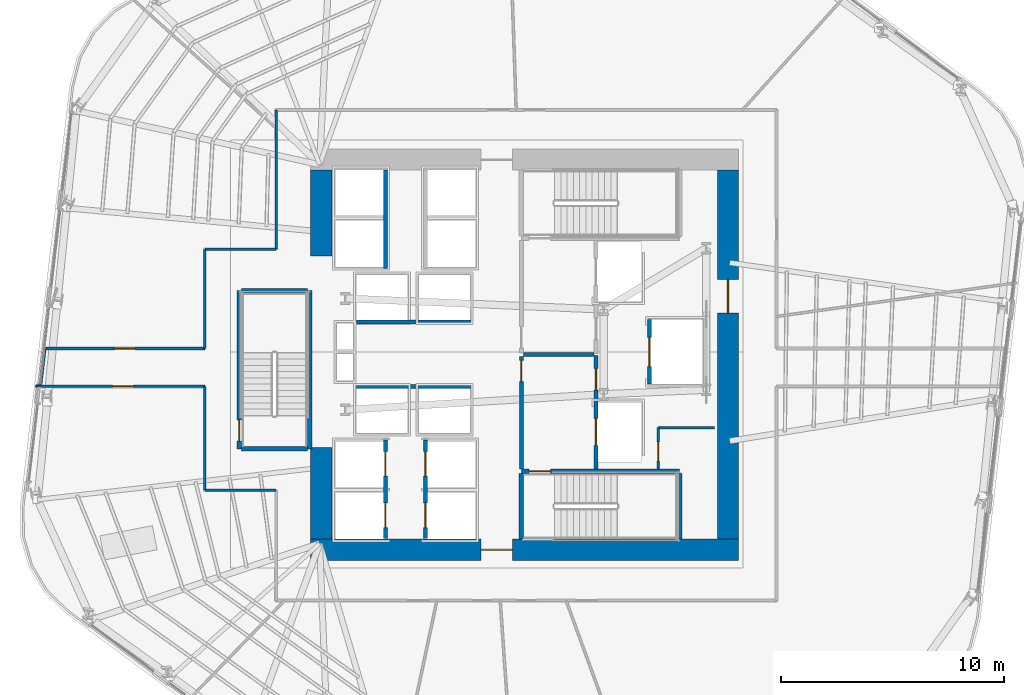
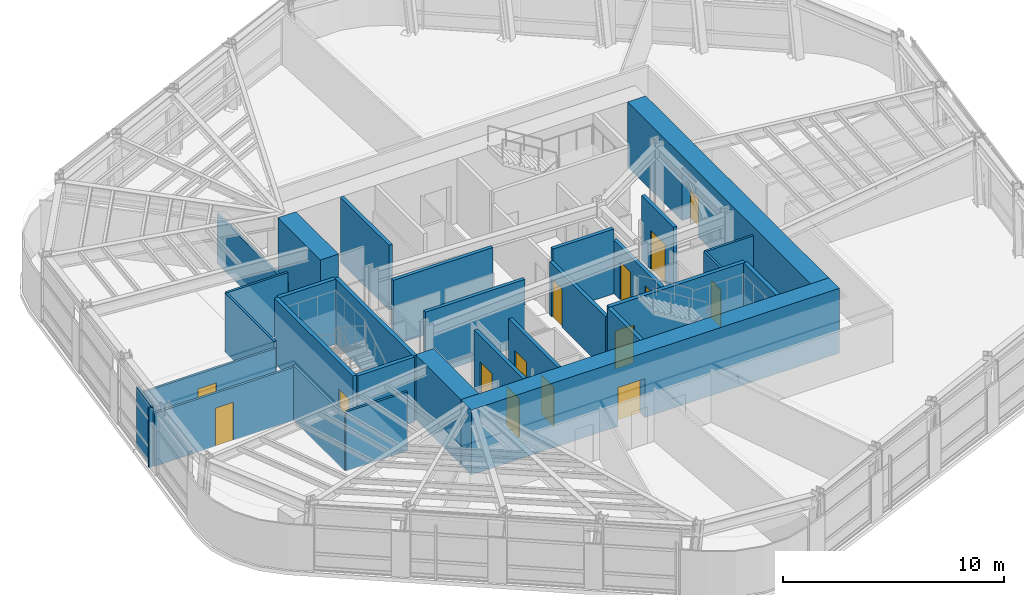
# One storey, part 9 of 16: 31 walls, 15 doors, 15 openings.
"""IFC4 building model written with IfcOpenShell, lengths in metres."""

import ifcopenshell
import ifcopenshell.guid

model = None  # the IFC model being written
_history = None  # IfcOwnerHistory: only IFC2X3 demands one
_inside = {}  # id of a spatial element -> (the spatial element, [elements in it])
_under = {}  # id of a project, library or spatial element -> (it, [spatial elements below it])
_declared = {}  # id of a project -> (the project, [libraries it declares])
_typed = {}  # id of a type object -> (the type object, [elements of that type])
_made_of = {}  # id of a material, layer set ... -> (it, [elements and type objects made of it])


def new_model(schema):
    """Start an empty IFC model of exactly this schema.

    Asked for "IFC4X3", IfcOpenShell would pick the latest addendum, in which some entities
    have other attributes; the version numbers below select the first issue.
    IFC2X3 requires an IfcOwnerHistory on every rooted entity: one is made here for all.
    """
    global model, _history
    if schema == "IFC4X3":
        model = ifcopenshell.file(schema_version=(4, 3, 0, 0))
    else:
        model = ifcopenshell.file(schema=schema)
    _inside.clear()
    _under.clear()
    _declared.clear()
    _typed.clear()
    _made_of.clear()
    _history = None
    if model.schema == "IFC2X3":
        org = make("IfcOrganization", Name="unknown")
        user = make(
            "IfcPersonAndOrganization",
            ThePerson=make("IfcPerson", FamilyName="unknown"),
            TheOrganization=org,
        )
        app = make(
            "IfcApplication",
            ApplicationDeveloper=org,
            Version="unknown",
            ApplicationFullName="unknown",
            ApplicationIdentifier="unknown",
        )
        _history = make(
            "IfcOwnerHistory",
            OwningUser=user,
            OwningApplication=app,
            ChangeAction="ADDED",
            CreationDate=0,
        )
    return model


def make(cls, **values):
    """One entity of the class cls with the attributes given. An attribute that is None is left unset."""
    return model.create_entity(
        cls, **{name: value for name, value in values.items() if value is not None}
    )


def rooted(cls, **values):
    """An entity with a GlobalId (a new one), such as an element, a storey or a relation."""
    return make(cls, GlobalId=ifcopenshell.guid.new(), OwnerHistory=_history, **values)


def si_unit(unit_type, name, prefix=None):
    """IfcSIUnit, for example si_unit("LENGTHUNIT", "METRE", prefix="MILLI")."""
    return make("IfcSIUnit", UnitType=unit_type, Prefix=prefix, Name=name)


def assignment(units):
    """IfcUnitAssignment: the units of a project."""
    return None if units is None else make("IfcUnitAssignment", Units=units)


def point(xyz):
    """IfcCartesianPoint."""
    return None if xyz is None else make("IfcCartesianPoint", Coordinates=xyz)


def direction(xyz):
    """IfcDirection."""
    return None if xyz is None else make("IfcDirection", DirectionRatios=xyz)


def frame(location, z_axis=None, x_axis=None):
    """IfcAxis2Placement3D, a coordinate frame: its origin and axes. An axis left out is left unset."""
    return make(
        "IfcAxis2Placement3D",
        Location=point(location),
        Axis=direction(z_axis),
        RefDirection=direction(x_axis),
    )


def frame_2d(location, x_axis=None):
    """IfcAxis2Placement2D, a coordinate frame in the plane: its origin and x axis."""
    return make(
        "IfcAxis2Placement2D", Location=point(location), RefDirection=direction(x_axis)
    )


def origin():
    """The frame at (0, 0, 0) with its axes left unset."""
    return frame((0.0, 0.0, 0.0))


def place(relative_to, where):
    """IfcLocalPlacement: puts the frame where relative to a parent placement (None: the world)."""
    return make(
        "IfcLocalPlacement", PlacementRelTo=relative_to, RelativePlacement=where
    )


def context(
    kind, dimensions, precision=None, world=None, true_north=None, identifier=None
):
    """IfcGeometricRepresentationContext, for example the 3D "Model" context."""
    return make(
        "IfcGeometricRepresentationContext",
        ContextIdentifier=identifier,
        ContextType=kind,
        CoordinateSpaceDimension=dimensions,
        Precision=precision,
        WorldCoordinateSystem=world,
        TrueNorth=true_north,
    )


def subcontext(parent, identifier, kind, view, scale=None):
    """IfcGeometricRepresentationSubContext, for example "Body" below "Model"."""
    return make(
        "IfcGeometricRepresentationSubContext",
        ContextIdentifier=identifier,
        ContextType=kind,
        ParentContext=parent,
        TargetScale=scale,
        TargetView=view,
    )


def project(units=None, contexts=None):
    """IfcProject with its units and contexts."""
    return rooted(
        "IfcProject",
        Name="project",
        RepresentationContexts=contexts,
        UnitsInContext=assignment(units),
    )


def spatial(cls, under=None, at=None, **own):
    """A site, building, storey or space (cls), placed at a placement, below another one or the project."""
    s = rooted(cls, ObjectPlacement=at, **own)
    if under is not None:
        _under.setdefault(under.id(), (under, []))[1].append(s)
    return s


def profile(cls, at=None, kind="AREA", **sizes):
    """A parametric profile (cls). Its sizes go by their IFC names, for example OverallWidth=200.0."""
    return make(cls, ProfileType=kind, Position=at, **sizes)


def rectangle(**sizes):
    """IfcRectangleProfileDef."""
    return profile("IfcRectangleProfileDef", **sizes)


def extrude(swept, where, along, depth):
    """IfcExtrudedAreaSolid: the profile swept, set in the frame where, extruded along a direction by depth."""
    return make(
        "IfcExtrudedAreaSolid",
        SweptArea=swept,
        Position=where,
        ExtrudedDirection=direction(along),
        Depth=depth,
    )


def shape(context_of_items, identifier, shape_type, items):
    """IfcShapeRepresentation: the items that make up one representation, for example the "Body"."""
    return make(
        "IfcShapeRepresentation",
        ContextOfItems=context_of_items,
        RepresentationIdentifier=identifier,
        RepresentationType=shape_type,
        Items=items,
    )


def material(Name=None, Category=None):
    """IfcMaterial."""
    return make("IfcMaterial", Name=Name, Category=Category)


def layer(
    of_material, thickness, ventilated=None, Name=None, Category=None, Priority=None
):
    """IfcMaterialLayer: one layer of a wall or slab, of a material (None: an air gap)."""
    return make(
        "IfcMaterialLayer",
        Material=of_material,
        LayerThickness=thickness,
        IsVentilated=ventilated,
        Name=Name,
        Category=Category,
        Priority=Priority,
    )


def layer_set(layers, Name=None):
    """IfcMaterialLayerSet."""
    return make("IfcMaterialLayerSet", MaterialLayers=layers, LayerSetName=Name)


def made_of(thing, what):
    """Note that an element or type object is made of a material, layer set ...; save() writes the relation."""
    if what is not None:
        _made_of.setdefault(what.id(), (what, []))[1].append(thing)
    return thing


def type_object(cls, material=None, **own):
    """A type object (cls), such as IfcWallType, which elements share."""
    return made_of(rooted(cls, **own), material)


def element(
    cls,
    number,
    at=None,
    inside=None,
    cuts=None,
    type_object=None,
    material=None,
    context=None,
    identifier="Body",
    shape_type=None,
    held_by="IfcProductDefinitionShape",
    body=None,
    shapes=None,
    **own,
):
    """One element of the class cls, such as IfcWall. Its Tag is "e" and its number.

    at: its placement. inside: the storey or other place that contains it. cuts: it is an
    opening in that element (IfcRelVoidsElement). A single representation is given by context,
    identifier, shape_type and body (its items); several are given by shapes. held_by: the class
    of the entity that holds the representations. save() writes the other relations.
    """
    e = rooted(cls, Tag="e%d" % number, ObjectPlacement=at, **own)
    if body is not None:
        shapes = [shape(context, identifier, shape_type, body)]
    if shapes is not None:
        e.Representation = make(held_by, Representations=shapes)
    if inside is not None:
        _inside.setdefault(inside.id(), (inside, []))[1].append(e)
    if cuts is not None:
        rooted(
            "IfcRelVoidsElement", RelatingBuildingElement=cuts, RelatedOpeningElement=e
        )
    if type_object is not None:
        _typed.setdefault(type_object.id(), (type_object, []))[1].append(e)
    return made_of(e, material)


def fill(opening, filler):
    """IfcRelFillsElement: the door or window that sits in an opening."""
    return rooted(
        "IfcRelFillsElement",
        RelatingOpeningElement=opening,
        RelatedBuildingElement=filler,
    )


def aggregate(whole, parts):
    """IfcRelAggregates: a whole, such as a stair, and the parts it consists of."""
    return rooted("IfcRelAggregates", RelatingObject=whole, RelatedObjects=parts)


def save(model, path):
    """Write the relations noted so far, then the file.

    IfcRelAggregates (storeys below a building ...), IfcRelContainedInSpatialStructure (elements
    in a storey), IfcRelDefinesByType, IfcRelAssociatesMaterial and IfcRelDeclares: one each for
    every whole, place, type object, material and project.
    """
    for whole, parts in _under.values():
        aggregate(whole, parts)
    for where, things in _inside.values():
        rooted(
            "IfcRelContainedInSpatialStructure",
            RelatedElements=things,
            RelatingStructure=where,
        )
    for kind, things in _typed.values():
        rooted("IfcRelDefinesByType", RelatedObjects=things, RelatingType=kind)
    for what, things in _made_of.values():
        rooted("IfcRelAssociatesMaterial", RelatedObjects=things, RelatingMaterial=what)
    for by, libraries in _declared.values():
        rooted("IfcRelDeclares", RelatingContext=by, RelatedDefinitions=libraries)
    model.write(path)


model = new_model("IFC4")

# Units and contexts
model_context = context("Model", 3, precision=1e-05, world=origin(), true_north=direction((0.0, 1.0)))
body_context = subcontext(model_context, "Body", "Model", "MODEL_VIEW")
ifc_project = project(units=[si_unit("LENGTHUNIT", "METRE"), si_unit("AREAUNIT", "SQUARE_METRE"), si_unit("VOLUMEUNIT", "CUBIC_METRE"), si_unit("PLANEANGLEUNIT", "RADIAN"), si_unit("MASSUNIT", "GRAM", prefix="KILO")], contexts=[model_context])

# Site, building, storey
site_placement = place(None, origin())
site = spatial("IfcSite", under=ifc_project, at=site_placement, CompositionType="ELEMENT")
building_placement = place(site_placement, origin())
building = spatial("IfcBuilding", under=site, at=building_placement, Name="Valkerne Bourse Tower", CompositionType="ELEMENT")
storey_placement = place(building_placement, frame((0.0, 0.0, 123.800048828125)))
storey = spatial("IfcBuildingStorey", under=building, at=storey_placement, Name="L31", CompositionType="ELEMENT", Elevation=123.800048828125)

# Wall, opening, door
ifc_material_1 = material(Name="Concrete C70/85", Category="concrete")
ifc_layer_1 = layer(ifc_material_1, 0.949951171875)
ifc_layer_set_1 = layer_set([ifc_layer_1], Name="Concrete C70/85")
wall_type_1 = type_object("IfcWallType", Name="W-CORE-950", PredefinedType="SHEAR", material=ifc_layer_set_1)
wall_1_placement = place(storey_placement, frame((37.199951171875, 18.125, 0.0), z_axis=(0.0, 0.0, 1.0), x_axis=(1.0, 0.0, 0.0)))
wall_1 = element("IfcWall", 1, at=wall_1_placement, inside=storey, type_object=wall_type_1, Name="L31 Core Shear Wall SOUTH", PredefinedType="SHEAR", context=body_context, shape_type="SweptSolid", body=[
    extrude(rectangle(XDim=19.199951171875, YDim=0.949951171875, at=frame_2d((9.60009765625, 0.0))), origin(), (0.0, 0.0, 1.0), 3.579833984375),
])
opening_1_placement = place(wall_1_placement, frame((7.64990234375, 0.0, 0.0)))
opening_1 = element("IfcOpeningElement", 2, at=opening_1_placement, cuts=wall_1, Name="Opening D-PL-1400", PredefinedType="OPENING", context=body_context, shape_type="SweptSolid", body=[
    extrude(rectangle(XDim=1.39990234375, YDim=2.14990234375, at=frame_2d((0.699951171875, 1.074951171875))), frame((0.0, 0.48486328125, 0.0), z_axis=(0.0, -1.0, 0.0), x_axis=(1.0, 0.0, 0.0)), (0.0, 0.0, 1.0), 0.969970703125),
])
ifc_material_2 = material(Name="Galvanised Painted Steel", Category="steel")
door_type_1 = type_object("IfcDoorType", Name="DR-PLT-1400", OperationType="DOUBLE_DOOR_SINGLE_SWING", PredefinedType="DOOR", material=ifc_material_2)
door_1_placement = place(opening_1_placement, origin())
door_1 = element("IfcDoor", 3, at=door_1_placement, inside=storey, type_object=door_type_1, Name="L31 South Passenger Lift Hall Fire Door", OperationType="DOUBLE_DOOR_SINGLE_SWING", OverallHeight=2.14990234375, OverallWidth=1.39990234375, PredefinedType="DOOR", context=body_context, shape_type="SweptSolid", body=[
    extrude(rectangle(XDim=1.39990234375, YDim=2.14990234375, at=frame_2d((0.699951171875, 1.074951171875))), frame((0.0, 0.02490234375, 0.0), z_axis=(0.0, -1.0, 0.0), x_axis=(1.0, 0.0, 0.0)), (0.0, 0.0, 1.0), 0.050048828125),
])
fill(opening_1, door_1)

wall_2_placement = place(storey_placement, frame((55.925048828125, 18.60009765625, 0.0), z_axis=(0.0, 0.0, 1.0), x_axis=(0.0, 1.0, 0.0)))
wall_2 = element("IfcWall", 4, at=wall_2_placement, inside=storey, type_object=wall_type_1, Name="L31 Core Shear Wall EAST", PredefinedType="SHEAR", context=body_context, shape_type="SweptSolid", body=[
    extrude(rectangle(XDim=16.5498046875, YDim=0.949951171875, at=frame_2d((8.27490234375, 0.0))), origin(), (0.0, 0.0, 1.0), 3.579833984375),
])
opening_2_placement = place(wall_2_placement, frame((10.14990234375, 0.0, 0.0)))
opening_2 = element("IfcOpeningElement", 5, at=opening_2_placement, cuts=wall_2, Name="Opening D-CR-1500", PredefinedType="OPENING", context=body_context, shape_type="SweptSolid", body=[
    extrude(rectangle(XDim=1.5, YDim=2.14990234375, at=frame_2d((0.75, 1.074951171875))), frame((0.0, 0.48486328125, 0.0), z_axis=(0.0, -1.0, 0.0), x_axis=(1.0, 0.0, 0.0)), (0.0, 0.0, 1.0), 0.969970703125),
])
door_type_2 = type_object("IfcDoorType", Name="DR-CORR-1500", OperationType="DOUBLE_DOOR_SINGLE_SWING", PredefinedType="DOOR", material=ifc_material_2)
door_2_placement = place(opening_2_placement, origin())
door_2 = element("IfcDoor", 6, at=door_2_placement, inside=storey, type_object=door_type_2, Name="L31 East Core Service Lobby Fire Door", OperationType="DOUBLE_DOOR_SINGLE_SWING", OverallHeight=2.14990234375, OverallWidth=1.5, PredefinedType="DOOR", context=body_context, shape_type="SweptSolid", body=[
    extrude(rectangle(XDim=1.5, YDim=2.14990234375, at=frame_2d((0.75, 1.074951171875))), frame((0.0, 0.02490234375, 0.0), z_axis=(0.0, -1.0, 0.0), x_axis=(1.0, 0.0, 0.0)), (0.0, 0.0, 1.0), 0.050048828125),
])
fill(opening_2, door_2)

# Walls
wall_3_placement = place(storey_placement, frame((37.675048828125, 18.60009765625, 0.0), z_axis=(0.0, 0.0, 1.0), x_axis=(0.0, 1.0, 0.0)))
element("IfcWall", 7, at=wall_3_placement, inside=storey, type_object=wall_type_1, Name="L31 Core Shear Wall WEST-S", PredefinedType="SHEAR", context=body_context, shape_type="SweptSolid", body=[
    extrude(rectangle(XDim=4.099853515625, YDim=0.949951171875, at=frame_2d((2.0498046875, 0.0))), origin(), (0.0, 0.0, 1.0), 3.579833984375),
])
wall_4_placement = place(storey_placement, frame((37.675048828125, 31.300048828125, 0.0), z_axis=(0.0, 0.0, 1.0), x_axis=(0.0, 1.0, 0.0)))
element("IfcWall", 8, at=wall_4_placement, inside=storey, type_object=wall_type_1, Name="L31 Core Shear Wall WEST-N", PredefinedType="SHEAR", context=body_context, shape_type="SweptSolid", body=[
    extrude(rectangle(XDim=3.849853515625, YDim=0.949951171875, at=frame_2d((1.9248046875, 0.0))), origin(), (0.0, 0.0, 1.0), 3.579833984375),
])

# Wall, opening, door
ifc_material_3 = material(Name="Gypsum Board Steel-Stud Partition", Category="steel")
ifc_layer_2 = layer(ifc_material_3, 0.117919921875)
ifc_layer_set_2 = layer_set([ifc_layer_2], Name="Gypsum Board Steel-Stud Partition")
wall_type_2 = type_object("IfcWallType", Name="W-CORR-140", PredefinedType="PARTITIONING", material=ifc_layer_set_2)
wall_5_placement = place(storey_placement, frame((52.800048828125, 21.75, 0.0), z_axis=(0.0, 0.0, 1.0), x_axis=(0.0, 1.0, 0.0)))
wall_5 = element("IfcWall", 9, at=wall_5_placement, inside=storey, type_object=wall_type_2, Name="L31 Core SE South-Bay West Wall", PredefinedType="PARTITIONING", context=body_context, shape_type="SweptSolid", body=[
    extrude(rectangle(XDim=1.85009765625, YDim=0.117919921875, at=frame_2d((0.925048828125, 0.0))), origin(), (0.0, 0.0, 1.0), 3.280029296875),
])
opening_3_placement = place(wall_5_placement, frame((0.35009765625, 0.0, 0.0)))
opening_3 = element("IfcOpeningElement", 10, at=opening_3_placement, cuts=wall_5, Name="Opening D-WC-900", PredefinedType="OPENING", context=body_context, shape_type="SweptSolid", body=[
    extrude(rectangle(XDim=0.860107421875, YDim=2.050048828125, at=frame_2d((0.43017578125, 1.02490234375))), frame((0.0, 0.06884765625, 0.0), z_axis=(0.0, -1.0, 0.0), x_axis=(1.0, 0.0, 0.0)), (0.0, 0.0, 1.0), 0.137939453125),
])
ifc_material_4 = material(Name="Architectural White Oak Timber", Category="wood")
door_type_3 = type_object("IfcDoorType", Name="DR-WC-900", OperationType="NOTDEFINED", PredefinedType="DOOR", material=ifc_material_4)
door_3_placement = place(opening_3_placement, origin())
door_3 = element("IfcDoor", 11, at=door_3_placement, inside=storey, type_object=door_type_3, Name="L31 Janitor Store Door", OperationType="SINGLE_SWING_RIGHT", OverallHeight=2.050048828125, OverallWidth=0.860107421875, PredefinedType="DOOR", context=body_context, shape_type="SweptSolid", body=[
    extrude(rectangle(XDim=0.860107421875, YDim=2.050048828125, at=frame_2d((0.43017578125, 1.02490234375))), frame((0.0, 0.02490234375, 0.0), z_axis=(0.0, -1.0, 0.0), x_axis=(1.0, 0.0, 0.0)), (0.0, 0.0, 1.0), 0.050048828125),
])
fill(opening_3, door_3)

# Walls
wall_6_placement = place(storey_placement, frame((52.800048828125, 23.60009765625, 0.0), z_axis=(0.0, 0.0, 1.0), x_axis=(1.0, 0.0, 0.0)))
element("IfcWall", 12, at=wall_6_placement, inside=storey, type_object=wall_type_2, Name="L31 Core SE South-Bay North Wall", PredefinedType="PARTITIONING", context=body_context, shape_type="SweptSolid", body=[
    extrude(rectangle(XDim=2.52001953125, YDim=0.117919921875, at=frame_2d((1.260009765625, 0.0))), origin(), (0.0, 0.0, 1.0), 3.280029296875),
])
wall_7_placement = place(storey_placement, frame((35.64990234375, 20.800048828125, 0.0), z_axis=(0.0, 0.0, 1.0), x_axis=(-1.0, 0.0, 0.0)))
element("IfcWall", 13, at=wall_7_placement, inside=storey, type_object=wall_type_2, Name="L31 Corridor Enclosure Wall", PredefinedType="PARTITIONING", context=body_context, shape_type="SweptSolid", body=[
    extrude(rectangle(XDim=3.199951171875, YDim=0.117919921875, at=frame_2d((1.60009765625, 0.0))), origin(), (0.0, 0.0, 1.0), 3.260009765625),
])
wall_8_placement = place(storey_placement, frame((32.449951171875, 20.800048828125, 0.0), z_axis=(0.0, 0.0, 1.0), x_axis=(0.0, 1.0, 0.0)))
element("IfcWall", 14, at=wall_8_placement, inside=storey, type_object=wall_type_2, Name="L31 Corridor Enclosure Wall", PredefinedType="PARTITIONING", context=body_context, shape_type="SweptSolid", body=[
    extrude(rectangle(XDim=4.64990234375, YDim=0.117919921875, at=frame_2d((2.324951171875, 0.0))), origin(), (0.0, 0.0, 1.0), 3.03662109375),
])

# Wall, opening, door
wall_9_placement = place(storey_placement, frame((32.449951171875, 25.449951171875, 0.0), z_axis=(0.0, 0.0, 1.0), x_axis=(-1.0, 0.0, 0.0)))
wall_9 = element("IfcWall", 15, at=wall_9_placement, inside=storey, type_object=wall_type_2, Name="L31 Corridor Enclosure Wall", PredefinedType="PARTITIONING", context=body_context, shape_type="SweptSolid", body=[
    extrude(rectangle(XDim=7.32666015625, YDim=0.117919921875, at=frame_2d((3.663330078125, 0.0))), origin(), (0.0, 0.0, 1.0), 2.92236328125),
])
opening_4_placement = place(wall_9_placement, frame((3.188232421875, 0.0, 0.0)))
opening_4 = element("IfcOpeningElement", 16, at=opening_4_placement, cuts=wall_9, Name="Opening D-OF-950", PredefinedType="OPENING", context=body_context, shape_type="SweptSolid", body=[
    extrude(rectangle(XDim=0.949951171875, YDim=2.10009765625, at=frame_2d((0.47509765625, 1.050048828125))), frame((0.0, 0.06884765625, 0.0), z_axis=(0.0, -1.0, 0.0), x_axis=(1.0, 0.0, 0.0)), (0.0, 0.0, 1.0), 0.137939453125),
])
door_type_4 = type_object("IfcDoorType", Name="DR-OFF-950", OperationType="NOTDEFINED", PredefinedType="DOOR", material=ifc_material_4)
door_4_placement = place(opening_4_placement, origin())
door_4 = element("IfcDoor", 17, at=door_4_placement, inside=storey, type_object=door_type_4, Name="L31 L31 Member Collaboration Club Salon 4 Door", OperationType="SINGLE_SWING_RIGHT", OverallHeight=2.10009765625, OverallWidth=0.949951171875, PredefinedType="DOOR", context=body_context, shape_type="SweptSolid", body=[
    extrude(rectangle(XDim=0.949951171875, YDim=2.10009765625, at=frame_2d((0.47509765625, 1.050048828125))), frame((0.0, 0.02490234375, 0.0), z_axis=(0.0, -1.0, 0.0), x_axis=(1.0, 0.0, 0.0)), (0.0, 0.0, 1.0), 0.050048828125),
])
fill(opening_4, door_4)

# Wall
wall_10_placement = place(storey_placement, frame((25.083740234375, 25.49462890625, 0.0), z_axis=(0.0, 0.0, 1.0), x_axis=(0.117036717274, 0.993127588384, 0.0)))
element("IfcWall", 18, at=wall_10_placement, inside=storey, type_object=wall_type_2, Name="L31 Corridor Enclosure Wall", PredefinedType="PARTITIONING", context=body_context, shape_type="SweptSolid", body=[
    extrude(rectangle(XDim=1.666748046875, YDim=0.117919921875, at=frame_2d((0.83349609375, 0.0))), origin(), (0.0, 0.0, 1.0), 3.280029296875),
])

# Wall, opening, door
wall_11_placement = place(storey_placement, frame((25.27880859375, 27.14990234375, 0.0), z_axis=(0.0, 0.0, 1.0), x_axis=(1.0, 0.0, 0.0)))
wall_11 = element("IfcWall", 19, at=wall_11_placement, inside=storey, type_object=wall_type_2, Name="L31 Corridor Enclosure Wall", PredefinedType="PARTITIONING", context=body_context, shape_type="SweptSolid", body=[
    extrude(rectangle(XDim=7.171142578125, YDim=0.117919921875, at=frame_2d((3.58544921875, 0.0))), origin(), (0.0, 0.0, 1.0), 2.92236328125),
])
opening_5_placement = place(wall_11_placement, frame((3.110595703125, 0.0, 0.0)))
opening_5 = element("IfcOpeningElement", 20, at=opening_5_placement, cuts=wall_11, Name="Opening D-OF-950", PredefinedType="OPENING", context=body_context, shape_type="SweptSolid", body=[
    extrude(rectangle(XDim=0.949951171875, YDim=2.10009765625, at=frame_2d((0.47509765625, 1.050048828125))), frame((0.0, 0.06884765625, 0.0), z_axis=(0.0, -1.0, 0.0), x_axis=(1.0, 0.0, 0.0)), (0.0, 0.0, 1.0), 0.137939453125),
])
door_5_placement = place(opening_5_placement, origin())
door_5 = element("IfcDoor", 21, at=door_5_placement, inside=storey, type_object=door_type_4, Name="L31 L31 Occupational Wellness Clinic 5 Door", OperationType="SINGLE_SWING_RIGHT", OverallHeight=2.10009765625, OverallWidth=0.949951171875, PredefinedType="DOOR", context=body_context, shape_type="SweptSolid", body=[
    extrude(rectangle(XDim=0.949951171875, YDim=2.10009765625, at=frame_2d((0.47509765625, 1.050048828125))), frame((0.0, 0.02490234375, 0.0), z_axis=(0.0, -1.0, 0.0), x_axis=(1.0, 0.0, 0.0)), (0.0, 0.0, 1.0), 0.050048828125),
])
fill(opening_5, door_5)

# Walls
wall_12_placement = place(storey_placement, frame((32.449951171875, 27.14990234375, 0.0), z_axis=(0.0, 0.0, 1.0), x_axis=(0.0, 1.0, 0.0)))
element("IfcWall", 22, at=wall_12_placement, inside=storey, type_object=wall_type_2, Name="L31 Corridor Enclosure Wall", PredefinedType="PARTITIONING", context=body_context, shape_type="SweptSolid", body=[
    extrude(rectangle(XDim=4.4501953125, YDim=0.117919921875, at=frame_2d((2.22509765625, 0.0))), origin(), (0.0, 0.0, 1.0), 3.280029296875),
])
wall_13_placement = place(storey_placement, frame((32.449951171875, 31.60009765625, 0.0), z_axis=(0.0, 0.0, 1.0), x_axis=(1.0, 0.0, 0.0)))
element("IfcWall", 23, at=wall_13_placement, inside=storey, type_object=wall_type_2, Name="L31 Corridor Enclosure Wall", PredefinedType="PARTITIONING", context=body_context, shape_type="SweptSolid", body=[
    extrude(rectangle(XDim=3.199951171875, YDim=0.117919921875, at=frame_2d((1.60009765625, 0.0))), origin(), (0.0, 0.0, 1.0), 3.280029296875),
])
wall_14_placement = place(storey_placement, frame((35.64990234375, 31.60009765625, 0.0), z_axis=(0.0, 0.0, 1.0), x_axis=(0.0, 1.0, 0.0)))
element("IfcWall", 24, at=wall_14_placement, inside=storey, type_object=wall_type_2, Name="L31 Corridor Enclosure Wall", PredefinedType="PARTITIONING", context=body_context, shape_type="SweptSolid", body=[
    extrude(rectangle(XDim=6.25, YDim=0.117919921875, at=frame_2d((3.125, 0.0))), origin(), (0.0, 0.0, 1.0), 2.71142578125),
])
ifc_material_5 = material(Name="Gypsum Fire-Rated Shaftwall", Category="gypsum")
ifc_layer_3 = layer(ifc_material_5, 0.179931640625)
ifc_layer_set_3 = layer_set([ifc_layer_3], Name="Gypsum Fire-Rated Shaftwall")
wall_type_3 = type_object("IfcWallType", Name="W-FSAE-180", PredefinedType="PARTITIONING", material=ifc_layer_set_3)
wall_15_placement = place(storey_placement, frame((46.739990234375, 26.8798828125, 0.0), z_axis=(0.0, 0.0, 1.0), x_axis=(1.0, 0.0, 0.0)))
element("IfcWall", 25, at=wall_15_placement, inside=storey, type_object=wall_type_3, Name="L31 FSAE-1/2 Lobby Dividing Fire Wall", PredefinedType="PARTITIONING", context=body_context, shape_type="SweptSolid", body=[
    extrude(rectangle(XDim=3.169921875, YDim=0.179931640625, at=frame_2d((1.5849609375, 0.0))), origin(), (0.0, 0.0, 1.0), 3.579833984375),
])

# Wall, opening, door
wall_16_placement = place(storey_placement, frame((46.64990234375, 21.75, 0.0), z_axis=(0.0, 0.0, 1.0), x_axis=(0.0, 1.0, 0.0)))
wall_16 = element("IfcWall", 26, at=wall_16_placement, inside=storey, type_object=wall_type_3, Name="L31 FSAE-1 Lobby West Fire Wall", PredefinedType="PARTITIONING", context=body_context, shape_type="SweptSolid", body=[
    extrude(rectangle(XDim=5.050048828125, YDim=0.179931640625, at=frame_2d((2.52490234375, 0.0))), origin(), (0.0, 0.0, 1.0), 2.957763671875),
])
opening_6_placement = place(wall_16_placement, frame((3.919921875, 0.0, 0.0)))
opening_6 = element("IfcOpeningElement", 27, at=opening_6_placement, cuts=wall_16, Name="Opening D-FS-950", PredefinedType="OPENING", context=body_context, shape_type="SweptSolid", body=[
    extrude(rectangle(XDim=0.949951171875, YDim=2.10009765625, at=frame_2d((0.47509765625, 1.050048828125))), frame((0.0, 0.099853515625, 0.0), z_axis=(0.0, -1.0, 0.0), x_axis=(1.0, 0.0, 0.0)), (0.0, 0.0, 1.0), 0.199951171875),
])
door_type_5 = type_object("IfcDoorType", Name="DR-FSAE-950", OperationType="NOTDEFINED", PredefinedType="DOOR", material=ifc_material_2)
door_6_placement = place(opening_6_placement, origin())
door_6 = element("IfcDoor", 28, at=door_6_placement, inside=storey, type_object=door_type_5, Name="L31 FSAE-1 Hall Link Fire Door", OperationType="SINGLE_SWING_LEFT", OverallHeight=2.10009765625, OverallWidth=0.949951171875, PredefinedType="DOOR", context=body_context, shape_type="SweptSolid", body=[
    extrude(rectangle(XDim=0.949951171875, YDim=2.10009765625, at=frame_2d((0.47509765625, 1.050048828125))), frame((0.0, 0.02490234375, 0.0), z_axis=(0.0, -1.0, 0.0), x_axis=(1.0, 0.0, 0.0)), (0.0, 0.0, 1.0), 0.050048828125),
])
fill(opening_6, door_6)

# Wall, openings, doors
wall_17_placement = place(storey_placement, frame((50.0, 21.75, 0.0), z_axis=(0.0, 0.0, 1.0), x_axis=(0.0, 1.0, 0.0)))
wall_17 = element("IfcWall", 29, at=wall_17_placement, inside=storey, type_object=wall_type_3, Name="L31 FSAE-1 Lobby & Shaft Front Wall", PredefinedType="PARTITIONING", context=body_context, shape_type="SweptSolid", body=[
    extrude(rectangle(XDim=5.090087890625, YDim=0.179931640625, at=frame_2d((2.544921875, 0.0))), origin(), (0.0, 0.0, 1.0), 2.957763671875),
])
opening_7_placement = place(wall_17_placement, frame((1.050048828125, 0.0, 0.0)))
opening_7 = element("IfcOpeningElement", 30, at=opening_7_placement, cuts=wall_17, Name="Opening LD-1200", PredefinedType="OPENING", context=body_context, shape_type="SweptSolid", body=[
    extrude(rectangle(XDim=1.199951171875, YDim=2.14990234375, at=frame_2d((0.60009765625, 1.074951171875))), frame((0.0, 0.099853515625, 0.0), z_axis=(0.0, -1.0, 0.0), x_axis=(1.0, 0.0, 0.0)), (0.0, 0.0, 1.0), 0.199951171875),
])
opening_8_placement = place(wall_17_placement, frame((3.550048828125, 0.0, 0.0)))
opening_8 = element("IfcOpeningElement", 31, at=opening_8_placement, cuts=wall_17, Name="Opening D-FS-950", PredefinedType="OPENING", context=body_context, shape_type="SweptSolid", body=[
    extrude(rectangle(XDim=0.949951171875, YDim=2.10009765625, at=frame_2d((0.47509765625, 1.050048828125))), frame((0.0, 0.099853515625, 0.0), z_axis=(0.0, -1.0, 0.0), x_axis=(1.0, 0.0, 0.0)), (0.0, 0.0, 1.0), 0.199951171875),
])
door_7_placement = place(opening_8_placement, origin())
door_7 = element("IfcDoor", 32, at=door_7_placement, inside=storey, type_object=door_type_5, Name="L31 FSAE-1 Lobby Corridor Fire Door", OperationType="SINGLE_SWING_RIGHT", OverallHeight=2.10009765625, OverallWidth=0.949951171875, PredefinedType="DOOR", context=body_context, shape_type="SweptSolid", body=[
    extrude(rectangle(XDim=0.949951171875, YDim=2.10009765625, at=frame_2d((0.47509765625, 1.050048828125))), frame((0.0, 0.02490234375, 0.0), z_axis=(0.0, -1.0, 0.0), x_axis=(1.0, 0.0, 0.0)), (0.0, 0.0, 1.0), 0.050048828125),
])
fill(opening_8, door_7)
ifc_material_6 = material(Name="Stainless Steel AISI 316", Category="steel")
door_type_6 = type_object("IfcDoorType", Name="DR-LIFT-1200", OperationType="DOUBLE_DOOR_SLIDING", PredefinedType="DOOR", material=ifc_material_6)
door_8_placement = place(opening_7_placement, origin())
door_8 = element("IfcDoor", 33, at=door_8_placement, inside=storey, type_object=door_type_6, Name="L31 FSAE-1 Firefighting Lift Landing Door", OperationType="DOUBLE_DOOR_SLIDING", OverallHeight=2.14990234375, OverallWidth=1.199951171875, PredefinedType="DOOR", context=body_context, shape_type="SweptSolid", body=[
    extrude(rectangle(XDim=1.199951171875, YDim=2.14990234375, at=frame_2d((0.60009765625, 1.074951171875))), frame((0.0, 0.02490234375, 0.0), z_axis=(0.0, -1.0, 0.0), x_axis=(1.0, 0.0, 0.0)), (0.0, 0.0, 1.0), 0.050048828125),
])
fill(opening_7, door_8)

# Wall, opening, door
ifc_material_7 = material(Name="CMU Blockwork Masonry 200mm", Category="masonry")
ifc_layer_4 = layer(ifc_material_7, 0.179931640625)
ifc_layer_set_4 = layer_set([ifc_layer_4], Name="CMU Blockwork Masonry 200mm")
wall_type_4 = type_object("IfcWallType", Name="W-LFT-180", PredefinedType="SOLIDWALL", material=ifc_layer_set_4)
wall_18_placement = place(storey_placement, frame((52.39990234375, 25.550048828125, 0.0), z_axis=(0.0, 0.0, 1.0), x_axis=(0.0, 1.0, 0.0)))
wall_18 = element("IfcWall", 34, at=wall_18_placement, inside=storey, type_object=wall_type_4, Name="L31 Service Lift SV-1 Front Wall", PredefinedType="SOLIDWALL", context=body_context, shape_type="SweptSolid", body=[
    extrude(rectangle(XDim=2.89990234375, YDim=0.179931640625, at=frame_2d((1.449951171875, 0.0))), origin(), (0.0, 0.0, 1.0), 3.579833984375),
])
opening_9_placement = place(wall_18_placement, frame((0.800048828125, 0.0, 0.0)))
opening_9 = element("IfcOpeningElement", 35, at=opening_9_placement, cuts=wall_18, Name="Opening LD-1300", PredefinedType="OPENING", context=body_context, shape_type="SweptSolid", body=[
    extrude(rectangle(XDim=1.300048828125, YDim=2.14990234375, at=frame_2d((0.64990234375, 1.074951171875))), frame((0.0, 0.099853515625, 0.0), z_axis=(0.0, -1.0, 0.0), x_axis=(1.0, 0.0, 0.0)), (0.0, 0.0, 1.0), 0.199951171875),
])
door_type_7 = type_object("IfcDoorType", Name="DR-LIFT-1300", OperationType="DOUBLE_DOOR_SLIDING", PredefinedType="DOOR", material=ifc_material_6)
door_9_placement = place(opening_9_placement, origin())
door_9 = element("IfcDoor", 36, at=door_9_placement, inside=storey, type_object=door_type_7, Name="L31 Service Lift SV-1 Landing Door", OperationType="DOUBLE_DOOR_SLIDING", OverallHeight=2.14990234375, OverallWidth=1.300048828125, PredefinedType="DOOR", context=body_context, shape_type="SweptSolid", body=[
    extrude(rectangle(XDim=1.300048828125, YDim=2.14990234375, at=frame_2d((0.64990234375, 1.074951171875))), frame((0.0, 0.02490234375, 0.0), z_axis=(0.0, -1.0, 0.0), x_axis=(1.0, 0.0, 0.0)), (0.0, 0.0, 1.0), 0.050048828125),
])
fill(opening_9, door_9)

# Wall, openings, doors
wall_19_placement = place(storey_placement, frame((40.550048828125, 18.6201171875, 0.0), z_axis=(0.0, 0.0, 1.0), x_axis=(0.0, 1.0, 0.0)))
wall_19 = element("IfcWall", 37, at=wall_19_placement, inside=storey, type_object=wall_type_4, Name="L31 Low-Zone West Cars Front Wall", PredefinedType="SOLIDWALL", context=body_context, shape_type="SweptSolid", body=[
    extrude(rectangle(XDim=4.429931640625, YDim=0.179931640625, at=frame_2d((2.21484375, 0.0))), origin(), (0.0, 0.0, 1.0), 3.579833984375),
])
opening_10_placement = place(wall_19_placement, frame((0.5, 0.0, 0.0)))
opening_10 = element("IfcOpeningElement", 38, at=opening_10_placement, cuts=wall_19, Name="Opening LD-1100", PredefinedType="OPENING", context=body_context, shape_type="SweptSolid", body=[
    extrude(rectangle(XDim=1.10009765625, YDim=2.14990234375, at=frame_2d((0.550048828125, 1.074951171875))), frame((0.0, 0.099853515625, 0.0), z_axis=(0.0, -1.0, 0.0), x_axis=(1.0, 0.0, 0.0)), (0.0, 0.0, 1.0), 0.199951171875),
])
opening_11_placement = place(wall_19_placement, frame((2.800048828125, 0.0, 0.0)))
opening_11 = element("IfcOpeningElement", 39, at=opening_11_placement, cuts=wall_19, Name="Opening LD-1100", PredefinedType="OPENING", context=body_context, shape_type="SweptSolid", body=[
    extrude(rectangle(XDim=1.10009765625, YDim=2.14990234375, at=frame_2d((0.550048828125, 1.074951171875))), frame((0.0, 0.099853515625, 0.0), z_axis=(0.0, -1.0, 0.0), x_axis=(1.0, 0.0, 0.0)), (0.0, 0.0, 1.0), 0.199951171875),
])
door_type_8 = type_object("IfcDoorType", Name="DR-LIFT-1100", OperationType="DOUBLE_DOOR_SLIDING", PredefinedType="DOOR", material=ifc_material_6)
door_10_placement = place(opening_10_placement, origin())
door_10 = element("IfcDoor", 40, at=door_10_placement, inside=storey, type_object=door_type_8, Name="L31 Passenger Lift PL-L1 Sliding Landing Door", OperationType="DOUBLE_DOOR_SLIDING", OverallHeight=2.14990234375, OverallWidth=1.10009765625, PredefinedType="DOOR", context=body_context, shape_type="SweptSolid", body=[
    extrude(rectangle(XDim=1.10009765625, YDim=2.14990234375, at=frame_2d((0.550048828125, 1.074951171875))), frame((0.0, 0.02490234375, 0.0), z_axis=(0.0, -1.0, 0.0), x_axis=(1.0, 0.0, 0.0)), (0.0, 0.0, 1.0), 0.050048828125),
])
fill(opening_10, door_10)
door_11_placement = place(opening_11_placement, origin())
door_11 = element("IfcDoor", 41, at=door_11_placement, inside=storey, type_object=door_type_8, Name="L31 Passenger Lift PL-L2 Sliding Landing Door", OperationType="DOUBLE_DOOR_SLIDING", OverallHeight=2.14990234375, OverallWidth=1.10009765625, PredefinedType="DOOR", context=body_context, shape_type="SweptSolid", body=[
    extrude(rectangle(XDim=1.10009765625, YDim=2.14990234375, at=frame_2d((0.550048828125, 1.074951171875))), frame((0.0, 0.02490234375, 0.0), z_axis=(0.0, -1.0, 0.0), x_axis=(1.0, 0.0, 0.0)), (0.0, 0.0, 1.0), 0.050048828125),
])
fill(opening_11, door_11)

wall_20_placement = place(storey_placement, frame((42.35009765625, 18.6201171875, 0.0), z_axis=(0.0, 0.0, 1.0), x_axis=(0.0, 1.0, 0.0)))
wall_20 = element("IfcWall", 42, at=wall_20_placement, inside=storey, type_object=wall_type_4, Name="L31 Low-Zone East Cars Front Wall", PredefinedType="SOLIDWALL", context=body_context, shape_type="SweptSolid", body=[
    extrude(rectangle(XDim=4.429931640625, YDim=0.179931640625, at=frame_2d((2.21484375, 0.0))), origin(), (0.0, 0.0, 1.0), 3.579833984375),
])
opening_12_placement = place(wall_20_placement, frame((0.5, 0.0, 0.0)))
opening_12 = element("IfcOpeningElement", 43, at=opening_12_placement, cuts=wall_20, Name="Opening LD-1100", PredefinedType="OPENING", context=body_context, shape_type="SweptSolid", body=[
    extrude(rectangle(XDim=1.10009765625, YDim=2.14990234375, at=frame_2d((0.550048828125, 1.074951171875))), frame((0.0, 0.099853515625, 0.0), z_axis=(0.0, -1.0, 0.0), x_axis=(1.0, 0.0, 0.0)), (0.0, 0.0, 1.0), 0.199951171875),
])
opening_13_placement = place(wall_20_placement, frame((2.800048828125, 0.0, 0.0)))
opening_13 = element("IfcOpeningElement", 44, at=opening_13_placement, cuts=wall_20, Name="Opening LD-1100", PredefinedType="OPENING", context=body_context, shape_type="SweptSolid", body=[
    extrude(rectangle(XDim=1.10009765625, YDim=2.14990234375, at=frame_2d((0.550048828125, 1.074951171875))), frame((0.0, 0.099853515625, 0.0), z_axis=(0.0, -1.0, 0.0), x_axis=(1.0, 0.0, 0.0)), (0.0, 0.0, 1.0), 0.199951171875),
])
door_12_placement = place(opening_12_placement, origin())
door_12 = element("IfcDoor", 45, at=door_12_placement, inside=storey, type_object=door_type_8, Name="L31 Passenger Lift PL-L3 Sliding Landing Door", OperationType="DOUBLE_DOOR_SLIDING", OverallHeight=2.14990234375, OverallWidth=1.10009765625, PredefinedType="DOOR", context=body_context, shape_type="SweptSolid", body=[
    extrude(rectangle(XDim=1.10009765625, YDim=2.14990234375, at=frame_2d((0.550048828125, 1.074951171875))), frame((0.0, 0.02490234375, 0.0), z_axis=(0.0, -1.0, 0.0), x_axis=(1.0, 0.0, 0.0)), (0.0, 0.0, 1.0), 0.050048828125),
])
fill(opening_12, door_12)
door_13_placement = place(opening_13_placement, origin())
door_13 = element("IfcDoor", 46, at=door_13_placement, inside=storey, type_object=door_type_8, Name="L31 Passenger Lift PL-L4 Sliding Landing Door", OperationType="DOUBLE_DOOR_SLIDING", OverallHeight=2.14990234375, OverallWidth=1.10009765625, PredefinedType="DOOR", context=body_context, shape_type="SweptSolid", body=[
    extrude(rectangle(XDim=1.10009765625, YDim=2.14990234375, at=frame_2d((0.550048828125, 1.074951171875))), frame((0.0, 0.02490234375, 0.0), z_axis=(0.0, -1.0, 0.0), x_axis=(1.0, 0.0, 0.0)), (0.0, 0.0, 1.0), 0.050048828125),
])
fill(opening_13, door_13)

# Walls
wall_21_placement = place(storey_placement, frame((40.550048828125, 30.75, 0.0), z_axis=(0.0, 0.0, 1.0), x_axis=(0.0, 1.0, 0.0)))
element("IfcWall", 47, at=wall_21_placement, inside=storey, type_object=wall_type_4, Name="L31 Mid-Zone West Cars Front Wall", PredefinedType="SOLIDWALL", context=body_context, shape_type="SweptSolid", body=[
    extrude(rectangle(XDim=4.39990234375, YDim=0.179931640625, at=frame_2d((2.199951171875, 0.0))), origin(), (0.0, 0.0, 1.0), 3.579833984375),
])
for number, where, z_axis, x_axis, name in (
    (48, (39.25, 25.449951171875, 0.0), (0.0, 0.0, 1.0), (1.0, 0.0, 0.0), "L31 High-Zone South Cars Front Wall"),
    (49, (39.25, 28.35009765625, 0.0), (0.0, 0.0, 1.0), (1.0, 0.0, 0.0), "L31 High-Zone North Cars Front Wall"),
):
    element("IfcWall", number, at=place(storey_placement, frame(where, z_axis=z_axis, x_axis=x_axis)), inside=storey, type_object=wall_type_4, Name=name, PredefinedType="SOLIDWALL", context=body_context, shape_type="SweptSolid", body=[
        extrude(rectangle(XDim=5.199951171875, YDim=0.179931640625, at=frame_2d((2.60009765625, 0.0))), origin(), (0.0, 0.0, 1.0), 3.579833984375),
    ])
ifc_layer_5 = layer(ifc_material_3, 0.092041015625)
ifc_layer_set_5 = layer_set([ifc_layer_5], Name="Gypsum Board Steel-Stud Partition")
wall_type_5 = type_object("IfcWallType", Name="W-PART-115", PredefinedType="PARTITIONING", material=ifc_layer_set_5)
wall_22_placement = place(storey_placement, frame((25.0771484375, 25.48095703125, 0.0), z_axis=(0.0, 0.0, 1.0), x_axis=(-0.997535286109, -0.070166608636, 0.0)))
element("IfcWall", 50, at=wall_22_placement, inside=storey, type_object=wall_type_5, Name="L31 Suite Partition P08", PredefinedType="PARTITIONING", context=body_context, shape_type="SweptSolid", body=[
    extrude(rectangle(XDim=0.208740234375, YDim=0.092041015625, at=frame_2d((0.1044921875, 0.0))), origin(), (0.0, 0.0, 1.0), 3.280029296875),
])

# Wall, opening, door
ifc_material_8 = material(Name="Concrete C40/50", Category="concrete")
ifc_layer_6 = layer(ifc_material_8, 0.199951171875)
ifc_layer_set_6 = layer_set([ifc_layer_6], Name="Concrete C40/50")
wall_type_6 = type_object("IfcWallType", Name="W-SHF-200", PredefinedType="SHEAR", material=ifc_layer_set_6)
wall_23_placement = place(storey_placement, frame((46.64990234375, 21.64990234375, 0.0), z_axis=(0.0, 0.0, 1.0), x_axis=(1.0, 0.0, 0.0)))
wall_23 = element("IfcWall", 51, at=wall_23_placement, inside=storey, type_object=wall_type_6, Name="L31 Exit Stair ST-1 Structural Shaft Wall North", PredefinedType="SHEAR", context=body_context, shape_type="SweptSolid", body=[
    extrude(rectangle(XDim=7.10009765625, YDim=0.199951171875, at=frame_2d((3.550048828125, 0.0))), origin(), (0.0, 0.0, 1.0), 3.579833984375),
])
opening_14_placement = place(wall_23_placement, frame((0.35009765625, 0.0, 0.0)))
opening_14 = element("IfcOpeningElement", 52, at=opening_14_placement, cuts=wall_23, Name="Opening D-ST-950", PredefinedType="OPENING", context=body_context, shape_type="SweptSolid", body=[
    extrude(rectangle(XDim=0.949951171875, YDim=2.10009765625, at=frame_2d((0.47509765625, 1.050048828125))), frame((0.0, 0.10986328125, 0.0), z_axis=(0.0, -1.0, 0.0), x_axis=(1.0, 0.0, 0.0)), (0.0, 0.0, 1.0), 0.219970703125),
])
door_type_9 = type_object("IfcDoorType", Name="DR-STAIR-950", OperationType="NOTDEFINED", PredefinedType="DOOR", material=ifc_material_2)
door_14_placement = place(opening_14_placement, origin())
door_14 = element("IfcDoor", 53, at=door_14_placement, inside=storey, type_object=door_type_9, Name="L31 Exit Stair ST-1 Door", OperationType="SINGLE_SWING_LEFT", OverallHeight=2.10009765625, OverallWidth=0.949951171875, PredefinedType="DOOR", context=body_context, shape_type="SweptSolid", body=[
    extrude(rectangle(XDim=0.949951171875, YDim=2.10009765625, at=frame_2d((0.47509765625, 1.050048828125))), frame((0.0, 0.02490234375, 0.0), z_axis=(0.0, -1.0, 0.0), x_axis=(1.0, 0.0, 0.0)), (0.0, 0.0, 1.0), 0.050048828125),
])
fill(opening_14, door_14)

# Walls
for number, where, z_axis, x_axis, name in (
    (54, (46.64990234375, 18.60009765625, 0.0), (0.0, 0.0, 1.0), (0.0, 1.0, 0.0), "L31 Exit Stair ST-1 Structural Shaft Wall West"),
    (55, (53.75, 18.60009765625, 0.0), (0.0, 0.0, 1.0), (0.0, 1.0, 0.0), "L31 Exit Stair ST-1 Structural Shaft Wall East"),
):
    element("IfcWall", number, at=place(storey_placement, frame(where, z_axis=z_axis, x_axis=x_axis)), inside=storey, type_object=wall_type_6, Name=name, PredefinedType="SHEAR", context=body_context, shape_type="SweptSolid", body=[
        extrude(rectangle(XDim=2.949951171875, YDim=0.199951171875, at=frame_2d((1.47509765625, 0.0))), origin(), (0.0, 0.0, 1.0), 3.579833984375),
    ])

# Wall, opening, door
wall_24_placement = place(storey_placement, frame((34.0, 22.64990234375, 0.0), z_axis=(0.0, 0.0, 1.0), x_axis=(0.0, 1.0, 0.0)))
wall_24 = element("IfcWall", 56, at=wall_24_placement, inside=storey, type_object=wall_type_6, Name="L31 Exit Stair ST-3 Structural Shaft Wall West", PredefinedType="SHEAR", context=body_context, shape_type="SweptSolid", body=[
    extrude(rectangle(XDim=7.10009765625, YDim=0.199951171875, at=frame_2d((3.550048828125, 0.0))), origin(), (0.0, 0.0, 1.0), 3.579833984375),
])
opening_15_placement = place(wall_24_placement, frame((0.35009765625, 0.0, 0.0)))
opening_15 = element("IfcOpeningElement", 57, at=opening_15_placement, cuts=wall_24, Name="Opening D-ST-950", PredefinedType="OPENING", context=body_context, shape_type="SweptSolid", body=[
    extrude(rectangle(XDim=0.949951171875, YDim=2.10009765625, at=frame_2d((0.47509765625, 1.050048828125))), frame((0.0, 0.10986328125, 0.0), z_axis=(0.0, -1.0, 0.0), x_axis=(1.0, 0.0, 0.0)), (0.0, 0.0, 1.0), 0.219970703125),
])
door_15_placement = place(opening_15_placement, origin())
door_15 = element("IfcDoor", 58, at=door_15_placement, inside=storey, type_object=door_type_9, Name="L31 Exit Stair ST-3 Door", OperationType="SINGLE_SWING_LEFT", OverallHeight=2.10009765625, OverallWidth=0.949951171875, PredefinedType="DOOR", context=body_context, shape_type="SweptSolid", body=[
    extrude(rectangle(XDim=0.949951171875, YDim=2.10009765625, at=frame_2d((0.47509765625, 1.050048828125))), frame((0.0, 0.02490234375, 0.0), z_axis=(0.0, -1.0, 0.0), x_axis=(1.0, 0.0, 0.0)), (0.0, 0.0, 1.0), 0.050048828125),
])
fill(opening_15, door_15)

# Walls
for number, where, z_axis, x_axis, name in (
    (59, (34.10009765625, 22.64990234375, 0.0), (0.0, 0.0, 1.0), (1.0, 0.0, 0.0), "L31 Exit Stair ST-3 Structural Shaft Wall South"),
    (60, (34.10009765625, 29.75, 0.0), (0.0, 0.0, 1.0), (1.0, 0.0, 0.0), "L31 Exit Stair ST-3 Structural Shaft Wall North"),
):
    element("IfcWall", number, at=place(storey_placement, frame(where, z_axis=z_axis, x_axis=x_axis)), inside=storey, type_object=wall_type_6, Name=name, PredefinedType="SHEAR", context=body_context, shape_type="SweptSolid", body=[
        extrude(rectangle(XDim=2.949951171875, YDim=0.199951171875, at=frame_2d((1.47509765625, 0.0))), origin(), (0.0, 0.0, 1.0), 3.579833984375),
    ])
wall_25_placement = place(storey_placement, frame((37.14990234375, 22.64990234375, 0.0), z_axis=(0.0, 0.0, 1.0), x_axis=(0.0, 1.0, 0.0)))
element("IfcWall", 61, at=wall_25_placement, inside=storey, type_object=wall_type_6, Name="L31 Exit Stair ST-3 Structural Shaft Wall East", PredefinedType="SHEAR", context=body_context, shape_type="SweptSolid", body=[
    extrude(rectangle(XDim=7.10009765625, YDim=0.199951171875, at=frame_2d((3.550048828125, 0.0))), origin(), (0.0, 0.0, 1.0), 3.579833984375),
])

save(model, "model.ifc")
